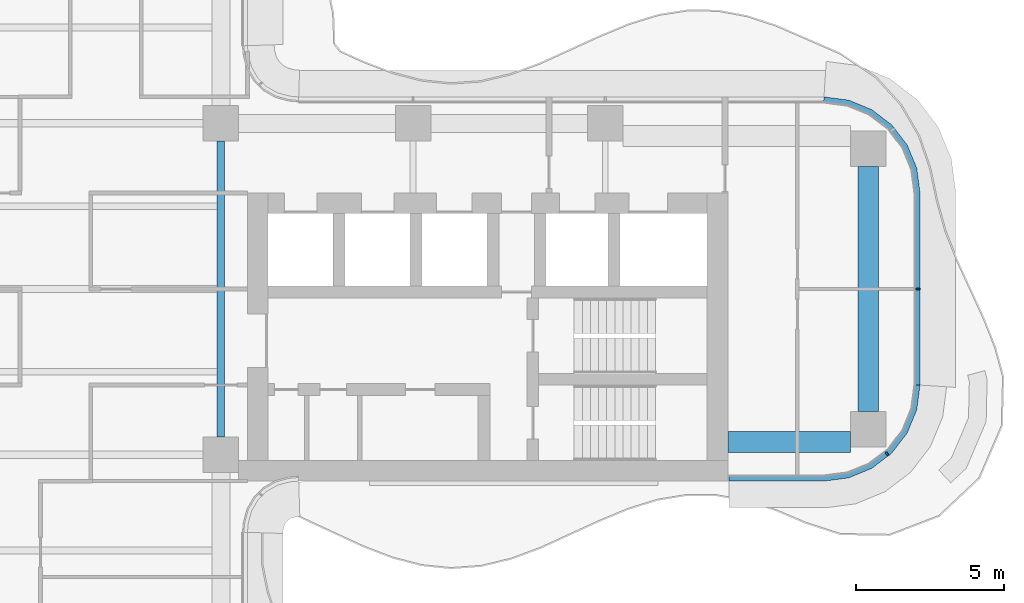
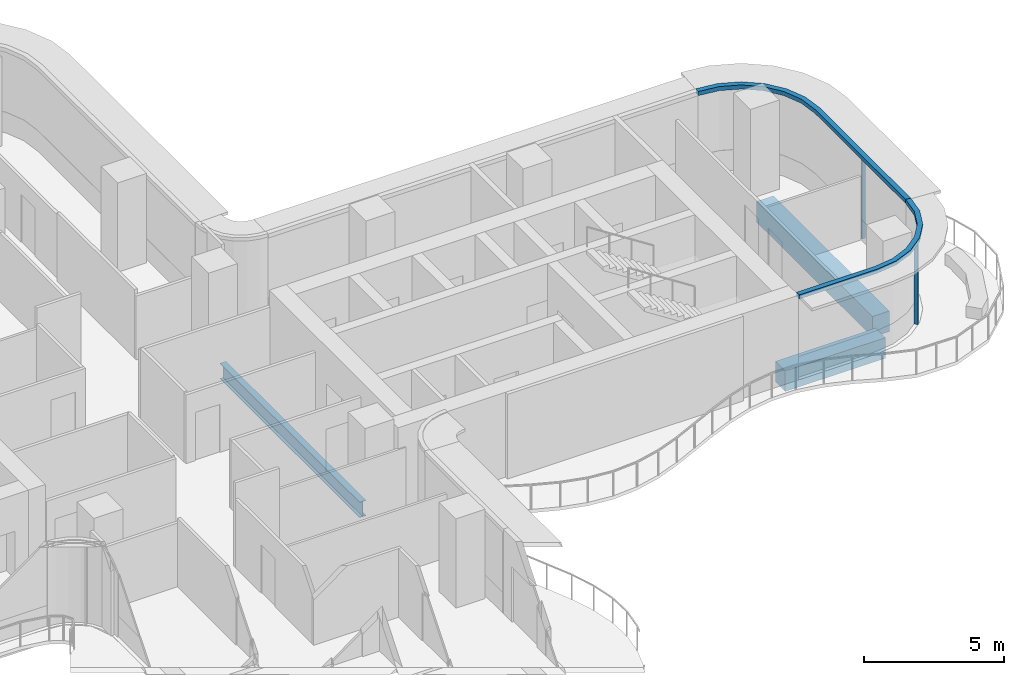
# One storey, part 6 of 18: 4 members, 3 beams, 2 elements without a shape of their own.
"""IFC4 building model written with IfcOpenShell, lengths in metres."""

from ifc_helpers import new_model, si_unit, direction, frame, origin, origin_2d, place, context, subcontext, project, spatial, polyline, rectangle, i_section, outline, extrude, source, transform, mapped, material, layer, layer_set, material_profile, profile_set, type_object, element, aggregate, save


model = new_model("IFC4")

# Units and contexts
model_context = context("Model", 3, precision=1e-05, world=origin(), true_north=direction((0.0, 1.0)))
body_context = subcontext(model_context, "Body", "Model", "MODEL_VIEW")
ifc_project = project(units=[si_unit("LENGTHUNIT", "METRE"), si_unit("AREAUNIT", "SQUARE_METRE"), si_unit("VOLUMEUNIT", "CUBIC_METRE"), si_unit("PLANEANGLEUNIT", "RADIAN"), si_unit("MASSUNIT", "GRAM", prefix="KILO")], contexts=[model_context])

# Site, building, storey
site_placement = place(None, origin())
site = spatial("IfcSite", under=ifc_project, at=site_placement, CompositionType="ELEMENT")
building_placement = place(site_placement, origin())
building = spatial("IfcBuilding", under=site, at=building_placement, Name="Trellis Farm Tower", CompositionType="ELEMENT")
storey_placement = place(building_placement, frame((0.0, 0.0, 193.199951171875)))
storey = spatial("IfcBuildingStorey", under=building, at=storey_placement, Name="L42", CompositionType="ELEMENT", Elevation=193.199951171875)

# Beams
ifc_material_1 = material(Name="Steel S355", Category="steel")
ifc_material_profile_1 = material_profile(ifc_material_1, i_section(OverallWidth=0.253662109375, OverallDepth=0.68359375, WebThickness=0.012451171875, FlangeThickness=0.021728515625, FilletRadius=0.01513671875, at=origin_2d()), Name="UB 686x254x140")
ifc_profile_set_1 = profile_set([ifc_material_profile_1], Name="Steel S355")
beam_type_1 = type_object("IfcBeamType", Name="UB 686x254x140", PredefinedType="BEAM", material=ifc_profile_set_1)
shared_shape_1 = source(origin(), body_context, "Body", "SweptSolid", [
    extrude(i_section(OverallWidth=0.253662109375, OverallDepth=0.68359375, WebThickness=0.012451171875, FlangeThickness=0.021728515625, FilletRadius=0.01513671875, at=origin_2d()), origin(), (0.0, 0.0, 1.0), 10.0),
])
beam_1_placement = place(storey_placement, frame((5.60009765625, -5.0, -0.541748046875), z_axis=(0.0, 1.0, 0.0), x_axis=(-1.0, 0.0, 0.0)))
element("IfcBeam", 1, at=beam_1_placement, inside=storey, type_object=beam_type_1, Name="Girder", PredefinedType="BEAM", context=body_context, shape_type="MappedRepresentation", body=[
    mapped(shared_shape_1, transform((0.0, 0.0, 0.0))),
])
ifc_material_2 = material(Name="Concrete C60/75", Category="concrete")
ifc_material_profile_2 = material_profile(ifc_material_2, rectangle(XDim=0.699951171875, YDim=0.89990234375, at=origin_2d()), Name="RC spandrel beam 700x900 C60/75")
ifc_profile_set_2 = profile_set([ifc_material_profile_2], Name="Concrete C60/75")
beam_type_2 = type_object("IfcBeamType", Name="RC spandrel beam 700x900 C60/75", PredefinedType="SPANDREL", material=ifc_profile_set_2)
shared_shape_2 = source(origin(), body_context, "Body", "SweptSolid", [
    extrude(rectangle(XDim=0.699951171875, YDim=0.89990234375, at=origin_2d()), origin(), (0.0, 0.0, 1.0), 8.2998046875),
])
beam_2_placement = place(storey_placement, frame((27.5, -4.14990234375, -0.64990234375), z_axis=(0.0, 1.0, 0.0), x_axis=(-1.0, 0.0, 0.0)))
element("IfcBeam", 2, at=beam_2_placement, inside=storey, type_object=beam_type_2, Name="Girder", PredefinedType="SPANDREL", context=body_context, shape_type="MappedRepresentation", body=[
    mapped(shared_shape_2, transform((0.0, 0.0, 0.0))),
])
shared_shape_3 = source(origin(), body_context, "Body", "SweptSolid", [
    extrude(rectangle(XDim=0.699951171875, YDim=0.89990234375, at=origin_2d()), origin(), (0.0, 0.0, 1.0), 4.14990234375),
])
beam_3_placement = place(storey_placement, frame((22.75, -5.175048828125, -0.64990234375), z_axis=(1.0, 0.0, 0.0), x_axis=(0.0, 1.0, 0.0)))
element("IfcBeam", 3, at=beam_3_placement, inside=storey, type_object=beam_type_2, Name="Girder", PredefinedType="SPANDREL", context=body_context, shape_type="MappedRepresentation", body=[
    mapped(shared_shape_3, transform((0.0, 0.0, 0.0))),
])

# Curtain wall, member
ifc_material_3 = material(Name="Aluminium and glass curtain wall", Category="aluminium")
ifc_layer_1 = layer(ifc_material_3, 0.18994140625)
ifc_layer_set_1 = layer_set([ifc_layer_1], Name="RIBBON CURTAIN WALL CW1")
curtain_wall_type = type_object("IfcCurtainWallType", Name="RIBBON CURTAIN WALL CW1", PredefinedType="NOTDEFINED", material=ifc_layer_set_1)
placement_1 = place(storey_placement, origin())
curtain_wall_1 = element("IfcCurtainWall", 4, at=placement_1, inside=storey, type_object=curtain_wall_type, Name="CW1 006", PredefinedType="NOTDEFINED")
ifc_material_4 = material(Name="Aluminium extrusion 6063-T6", Category="aluminium")
ifc_layer_2 = layer(ifc_material_4, 0.199951171875)
ifc_layer_set_2 = layer_set([ifc_layer_2], Name="Aluminium extrusion 6063-T6")
member_type_1 = type_object("IfcMemberType", Name="CW1 TRANSOM 200x180", PredefinedType="USERDEFINED", material=ifc_layer_set_2)
shared_shape_4 = source(origin(), body_context, "Body", "SweptSolid", [
    extrude(outline(polyline([(22.780029296875, -6.5), (26.0, -6.5), (26.841064453125, -6.38916015625), (27.625, -6.064697265625), (28.298095703125, -5.548095703125), (28.814697265625, -4.875), (29.13916015625, -4.091064453125), (29.25, -3.25), (29.050048828125, -3.23681640625), (28.9443359375, -4.0390625), (28.639892578125, -4.774169921875), (28.155517578125, -5.405517578125), (27.524169921875, -5.889892578125), (26.7890625, -6.1943359375), (25.98681640625, -6.300048828125), (22.780029296875, -6.300048828125), (22.780029296875, -6.5)])), origin(), (0.0, 0.0, 1.0), 0.179931640625),
])
placement_2 = place(storey_placement, frame((0.0, 0.0, 3.52001953125)))
member_1 = element("IfcMember", 5, at=placement_2, type_object=member_type_1, Name="TR1 006", ObjectType="TRANSOM", PredefinedType="USERDEFINED", context=body_context, shape_type="MappedRepresentation", body=[
    mapped(shared_shape_4, transform((0.0, 0.0, 0.0))),
])

curtain_wall_2 = element("IfcCurtainWall", 6, at=placement_1, inside=storey, type_object=curtain_wall_type, Name="CW1 007", PredefinedType="NOTDEFINED")
shared_shape_5 = source(origin(), body_context, "Body", "SweptSolid", [
    extrude(outline(polyline([(29.25, -3.25), (29.25, 3.25), (29.13916015625, 4.091064453125), (28.814697265625, 4.875), (28.298095703125, 5.548095703125), (27.625, 6.064697265625), (26.841064453125, 6.38916015625), (26.0, 6.5), (25.98681640625, 6.300048828125), (26.7890625, 6.1943359375), (27.524169921875, 5.889892578125), (28.155517578125, 5.405517578125), (28.639892578125, 4.774169921875), (28.9443359375, 4.0390625), (29.050048828125, 3.23681640625), (29.050048828125, -3.23681640625), (29.25, -3.25)])), origin(), (0.0, 0.0, 1.0), 0.179931640625),
])
member_2 = element("IfcMember", 7, at=placement_2, type_object=member_type_1, Name="TR1 007", ObjectType="TRANSOM", PredefinedType="USERDEFINED", context=body_context, shape_type="MappedRepresentation", body=[
    mapped(shared_shape_5, transform((0.0, 0.0, 0.0))),
])

# Member
ifc_material_profile_3 = material_profile(ifc_material_4, rectangle(XDim=0.06005859375, YDim=0.14990234375, at=origin_2d()), Name="MULLION 60x150")
ifc_profile_set_3 = profile_set([ifc_material_profile_3], Name="Aluminium extrusion 6063-T6")
member_type_2 = type_object("IfcMemberType", Name="CW1 MULLION 60x150", PredefinedType="MULLION", material=ifc_profile_set_3)
shared_shape_6 = source(origin(), body_context, "Body", "SweptSolid", [
    extrude(rectangle(XDim=0.06005859375, YDim=0.14990234375, at=origin_2d()), origin(), (0.0, 0.0, 1.0), 3.52001953125),
])
member_3_placement = place(storey_placement, frame((28.135498046875, -5.578369140625, 0.0), z_axis=(0.0, 0.0, 1.0), x_axis=(0.793353340291, 0.608761429009, 0.0)))
member_3 = element("IfcMember", 8, at=member_3_placement, type_object=member_type_2, Name="MU1 006-01", PredefinedType="MULLION", context=body_context, shape_type="MappedRepresentation", body=[
    mapped(shared_shape_6, transform((0.0, 0.0, 0.0))),
])

aggregate(curtain_wall_1, [member_3, member_1])

member_4_placement = place(storey_placement, frame((29.175048828125, 0.0, 0.0), z_axis=(0.0, 0.0, 1.0), x_axis=(0.0, 1.0, 0.0)))
member_4 = element("IfcMember", 9, at=member_4_placement, type_object=member_type_2, Name="MU1 007-01", PredefinedType="MULLION", context=body_context, shape_type="MappedRepresentation", body=[
    mapped(shared_shape_6, transform((0.0, 0.0, 0.0))),
])

aggregate(curtain_wall_2, [member_4, member_2])

save(model, "model.ifc")
